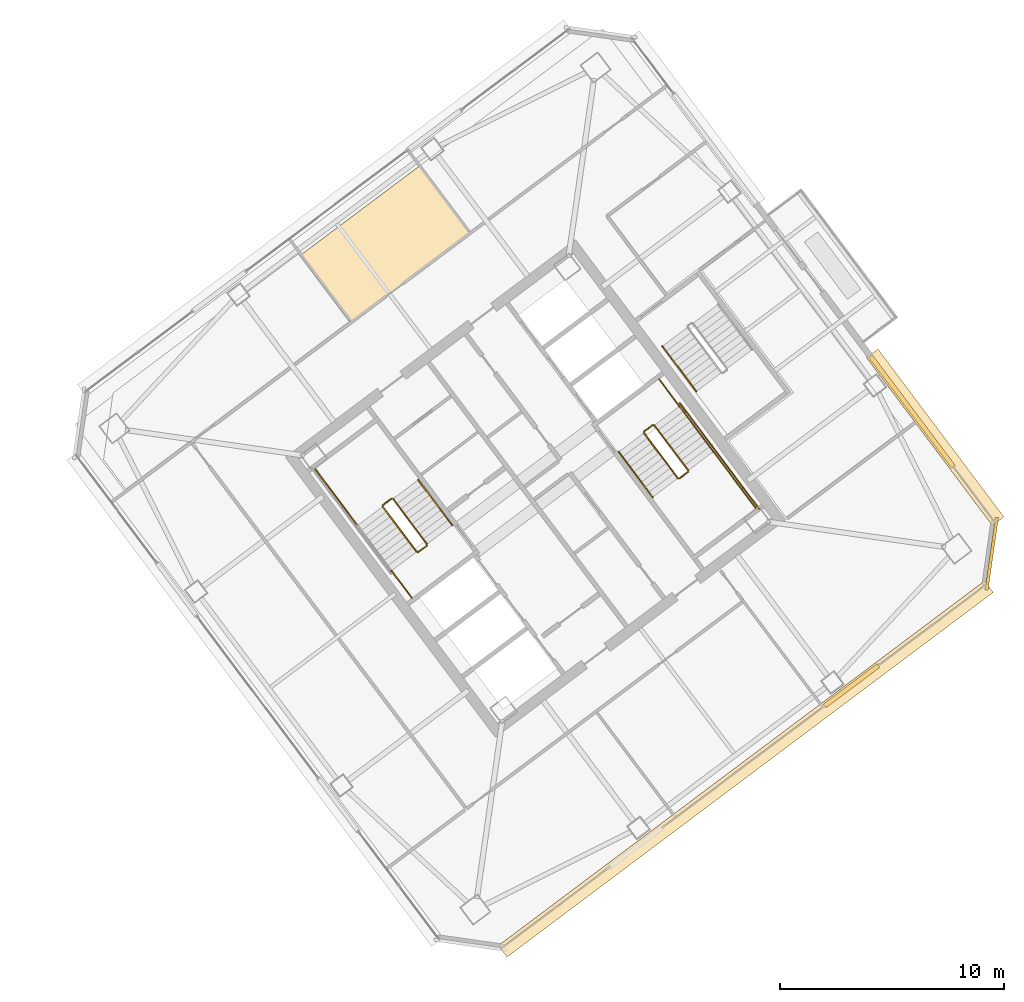
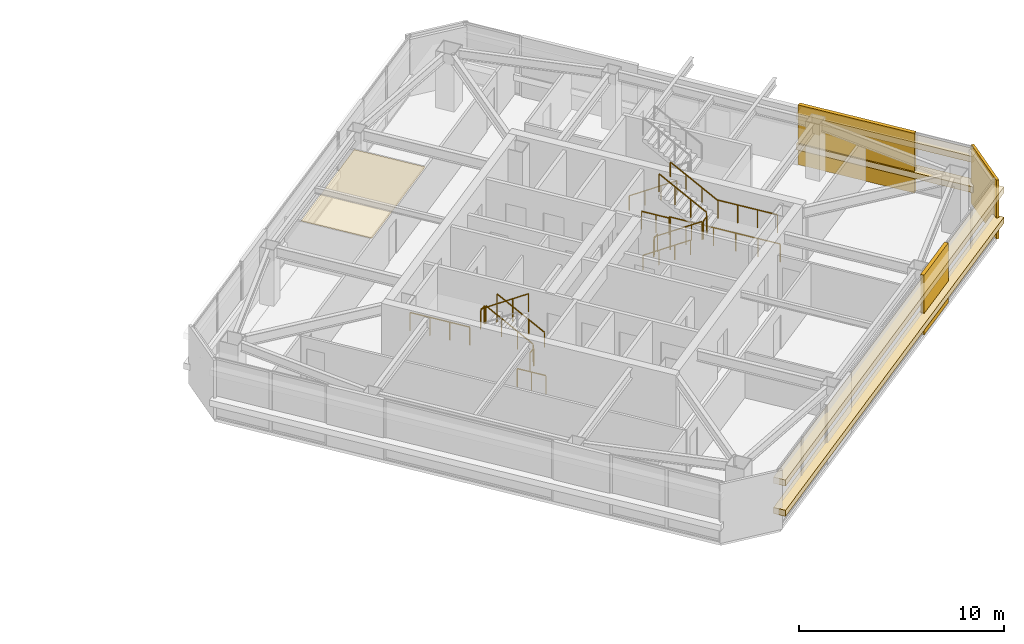
# One storey, part 37 of 39: 17 railings, 8 coverings.
"""IFC4 building model written with IfcOpenShell, lengths in metres."""

from ifc_helpers import new_model, si_unit, direction, frame, origin, origin_2d, place, context, subcontext, project, spatial, polyline, rectangle, outline, extrude, material, layer, layer_set, type_object, element, save


model = new_model("IFC4")

# Units and contexts
model_context = context("Model", 3, precision=1e-05, world=origin(), true_north=direction((0.0, 1.0)))
body_context = subcontext(model_context, "Body", "Model", "MODEL_VIEW")
ifc_project = project(units=[si_unit("LENGTHUNIT", "METRE"), si_unit("AREAUNIT", "SQUARE_METRE"), si_unit("VOLUMEUNIT", "CUBIC_METRE"), si_unit("PLANEANGLEUNIT", "RADIAN"), si_unit("MASSUNIT", "GRAM", prefix="KILO")], contexts=[model_context])

# Site, building, storey
site_placement = place(None, origin())
site = spatial("IfcSite", under=ifc_project, at=site_placement, CompositionType="ELEMENT")
building_placement = place(site_placement, origin())
building = spatial("IfcBuilding", under=site, at=building_placement, Name="Tashvorn Skyway Center", CompositionType="ELEMENT")
storey_placement = place(building_placement, frame((0.0, 0.0, 214.85009765625)))
storey = spatial("IfcBuildingStorey", under=building, at=storey_placement, Name="L58", CompositionType="ELEMENT", Elevation=214.85009765625)

# Coverings
ifc_material_1 = material(Name="Precast concrete C40/50", Category="concrete")
ifc_layer_1 = layer(ifc_material_1, 0.199951171875)
ifc_layer_set_1 = layer_set([ifc_layer_1], Name="Precast concrete C40/50")
covering_type_1 = type_object("IfcCoveringType", Name="COV-BRACE-CLAD", PredefinedType="CLADDING", material=ifc_layer_set_1)
covering_1_placement = place(storey_placement, frame((128.080810546875, 23.210693359375, 0.0), z_axis=(0.0, 0.0, 1.0), x_axis=(-0.799999996291, -0.600000004945, 0.0)))
element("IfcCovering", 1, at=covering_1_placement, inside=storey, type_object=covering_type_1, Name="Tower 2 L58 South Unitised Curtain Wall Mega-Brace Cladding Band 1", PredefinedType="CLADDING", context=body_context, shape_type="SweptSolid", body=[
    extrude(rectangle(XDim=2.99560546875, YDim=0.199951171875, at=origin_2d()), origin(), (0.0, 0.0, 1.0), 3.550048828125),
])
covering_2_placement = place(storey_placement, frame((130.780029296875, 35.4267578125, 0.0), z_axis=(0.0, 0.0, 1.0), x_axis=(0.600000004945, -0.799999996291, 0.0)))
element("IfcCovering", 2, at=covering_2_placement, inside=storey, type_object=covering_type_1, Name="Tower 2 L58 East Curtain Wall R Mega-Brace Cladding Band 1", PredefinedType="CLADDING", context=body_context, shape_type="SweptSolid", body=[
    extrude(rectangle(XDim=6.1533203125, YDim=0.199951171875, at=origin_2d()), origin(), (0.0, 0.0, 1.0), 3.550048828125),
])
ifc_material_2 = material(Name="Mineral-fibre acoustic ceiling tile on suspended grid")
ifc_layer_2 = layer(ifc_material_2, 0.02001953125)
ifc_layer_set_2 = layer_set([ifc_layer_2], Name="Mineral-fibre acoustic ceiling tile on suspended grid")
covering_type_2 = type_object("IfcCoveringType", Name="COV-CEIL-20", PredefinedType="CEILING", material=ifc_layer_set_2)
covering_3_placement = place(storey_placement, frame((0.0, 0.0, 2.702880859375)))
element("IfcCovering", 3, at=covering_3_placement, inside=storey, type_object=covering_type_2, Name="Tower 2 L58 Conference Room Acoustic Ceiling", PredefinedType="CEILING", context=body_context, shape_type="SweptSolid", body=[
    extrude(outline(polyline([(105.81005859375, 39.419921875), (111.090087890625, 43.3798828125), (108.840087890625, 46.3798828125), (103.56005859375, 42.419921875), (105.81005859375, 39.419921875)])), origin(), (0.0, 0.0, 1.0), 0.02001953125),
])
ifc_material_3 = material(Name="Perforated ceramic-coated bronze aluminium solar screen", Category="aluminium")
ifc_layer_3 = layer(ifc_material_3, 0.85009765625)
ifc_layer_set_3 = layer_set([ifc_layer_3], Name="Perforated ceramic-coated bronze aluminium solar screen")
covering_type_3 = type_object("IfcCoveringType", Name="COV-SOLAR-BAND", PredefinedType="CLADDING", material=ifc_layer_set_3)
for number, where, z_axis, x_axis, name in (
    (4, (123.3720703125, 19.50390625, 0.919921875), (0.0, 0.0, 1.0), (-0.799999996291, -0.600000004945, 0.0), "L58 Perforated Ceramic-Metal Solar Screen Louvre Band South 1"),
    (5, (123.3720703125, 19.50390625, 2.7197265625), (0.0, 0.0, 1.0), (-0.799999996291, -0.600000004945, 0.0), "L58 Perforated Ceramic-Metal Solar Screen Louvre Band South 2"),
):
    element("IfcCovering", number, at=place(storey_placement, frame(where, z_axis=z_axis, x_axis=x_axis)), inside=storey, type_object=covering_type_3, Name=name, PredefinedType="CLADDING", context=body_context, shape_type="SweptSolid", body=[
        extrude(rectangle(XDim=27.080078125, YDim=0.639892578125, at=origin_2d()), origin(), (0.0, 0.0, 1.0), 0.360107421875),
    ])
for number, where, z_axis, x_axis, name in (
    (6, (131.81494140625, 34.280029296875, 0.919921875), (0.0, 0.0, 1.0), (0.600000004945, -0.799999996291, 0.0), "L58 Perforated Ceramic-Metal Solar Screen Louvre Band East 1"),
    (7, (131.81494140625, 34.280029296875, 2.7197265625), (0.0, 0.0, 1.0), (0.600000004945, -0.799999996291, 0.0), "L58 Perforated Ceramic-Metal Solar Screen Louvre Band East 2"),
):
    element("IfcCovering", number, at=place(storey_placement, frame(where, z_axis=z_axis, x_axis=x_axis)), inside=storey, type_object=covering_type_3, Name=name, PredefinedType="CLADDING", context=body_context, shape_type="SweptSolid", body=[
        extrude(rectangle(XDim=9.35009765625, YDim=0.639892578125, at=origin_2d()), origin(), (0.0, 0.0, 1.0), 0.360107421875),
    ])
ifc_layer_4 = layer(ifc_material_1, 0.35009765625)
ifc_layer_set_4 = layer_set([ifc_layer_4], Name="Precast concrete C40/50")
covering_type_4 = type_object("IfcCoveringType", Name="COV-STONE-TRIM", PredefinedType="CLADDING", material=ifc_layer_set_4)
covering_4_placement = place(storey_placement, frame((134.327880859375, 29.095947265625, 0.02001953125), z_axis=(0.0, 0.0, 1.0), x_axis=(0.141421350118, 0.989949494535, 0.0)))
element("IfcCovering", 8, at=covering_4_placement, inside=storey, type_object=covering_type_4, Name="Tower 2 L58 SE Mojave Limestone Corner Quoin", PredefinedType="CLADDING", context=body_context, shape_type="SweptSolid", body=[
    extrude(rectangle(XDim=3.271240234375, YDim=0.139892578125, at=origin_2d()), origin(), (0.0, 0.0, 1.0), 3.510009765625),
])

# Railings
ifc_material_4 = material(Name="Brushed stainless steel 316", Category="steel")
railing_type_1 = type_object("IfcRailingType", Name="RAIL-HAND-920", PredefinedType="HANDRAIL", material=ifc_material_4)
railing_1_placement = place(storey_placement, frame((110.2880859375, 30.365966796875, 0.177490234375)))
element("IfcRailing", 9, at=railing_1_placement, inside=storey, type_object=railing_type_1, Name="L58 ST-T2-1 stair handrail 1", PredefinedType="HANDRAIL", context=body_context, shape_type="SweptSolid", body=[
    extrude(rectangle(XDim=0.048095703125, YDim=0.048095703125, at=origin_2d()), frame((0.0, 0.0, 0.8759765625), z_axis=(-0.506801609611, 0.675680931896, 0.535357270211), x_axis=(-0.799976749893, -0.600030998891, 0.0)), (0.0, 0.0, 1.0), 2.98388671875),
    extrude(rectangle(XDim=0.0419921875, YDim=0.0419921875, at=origin_2d()), origin(), (0.0, 0.0, 1.0), 0.851806640625),
    extrude(rectangle(XDim=0.0419921875, YDim=0.0419921875, at=origin_2d()), frame((-0.504150390625, 0.672119140625, 0.532470703125)), (0.0, 0.0, 1.0), 0.851806640625),
    extrude(rectangle(XDim=0.0419921875, YDim=0.0419921875, at=origin_2d()), frame((-1.008056640625, 1.343994140625, 1.06494140625)), (0.0, 0.0, 1.0), 0.851806640625),
    extrude(rectangle(XDim=0.0419921875, YDim=0.0419921875, at=origin_2d()), frame((-1.51220703125, 2.01611328125, 1.597412109375)), (0.0, 0.0, 1.0), 0.851806640625),
])
railing_2_placement = place(storey_placement, frame((117.7119140625, 33.634033203125, 0.177490234375)))
element("IfcRailing", 10, at=railing_2_placement, inside=storey, type_object=railing_type_1, Name="L58 ST-T2-2 stair handrail 1", PredefinedType="HANDRAIL", context=body_context, shape_type="SweptSolid", body=[
    extrude(rectangle(XDim=0.048095703125, YDim=0.048095703125, at=origin_2d()), frame((0.0, 0.0, 0.8759765625), z_axis=(0.506801609611, -0.675680931896, 0.535357270211), x_axis=(0.799976749893, 0.600030998891, 0.0)), (0.0, 0.0, 1.0), 2.98388671875),
    extrude(rectangle(XDim=0.0419921875, YDim=0.0419921875, at=origin_2d()), origin(), (0.0, 0.0, 1.0), 0.851806640625),
    extrude(rectangle(XDim=0.0419921875, YDim=0.0419921875, at=origin_2d()), frame((0.504150390625, -0.672119140625, 0.532470703125)), (0.0, 0.0, 1.0), 0.851806640625),
    extrude(rectangle(XDim=0.0419921875, YDim=0.0419921875, at=origin_2d()), frame((1.008056640625, -1.343994140625, 1.06494140625)), (0.0, 0.0, 1.0), 0.851806640625),
    extrude(rectangle(XDim=0.0419921875, YDim=0.0419921875, at=origin_2d()), frame((1.51220703125, -2.01611328125, 1.597412109375)), (0.0, 0.0, 1.0), 0.851806640625),
])
railing_3_placement = place(storey_placement, frame((121.927978515625, 33.64599609375, 1.952392578125)))
element("IfcRailing", 11, at=railing_3_placement, inside=storey, type_object=railing_type_1, Name="L58 ST-T2-2 stair handrail 2", PredefinedType="HANDRAIL", context=body_context, shape_type="SweptSolid", body=[
    extrude(rectangle(XDim=0.048095703125, YDim=0.048095703125, at=origin_2d()), frame((0.0, 0.0, 0.8759765625), z_axis=(-0.506740800098, 0.675708949977, 0.535379469569), x_axis=(-0.800023250257, -0.599968998406, 0.0)), (0.0, 0.0, 1.0), 2.983642578125),
    extrude(rectangle(XDim=0.0419921875, YDim=0.0419921875, at=origin_2d()), origin(), (0.0, 0.0, 1.0), 0.851806640625),
    extrude(rectangle(XDim=0.0419921875, YDim=0.0419921875, at=origin_2d()), frame((-0.50390625, 0.672119140625, 0.532470703125)), (0.0, 0.0, 1.0), 0.851806640625),
    extrude(rectangle(XDim=0.0419921875, YDim=0.0419921875, at=origin_2d()), frame((-1.008056640625, 1.343994140625, 1.06494140625)), (0.0, 0.0, 1.0), 0.851806640625),
    extrude(rectangle(XDim=0.0419921875, YDim=0.0419921875, at=origin_2d()), frame((-1.511962890625, 2.01611328125, 1.597412109375)), (0.0, 0.0, 1.0), 0.851806640625),
])
railing_4_placement = place(storey_placement, frame((119.656005859375, 38.342041015625, 0.177490234375)))
element("IfcRailing", 12, at=railing_4_placement, inside=storey, type_object=railing_type_1, Name="L58 ST-T2-3 stair handrail 1", PredefinedType="HANDRAIL", context=body_context, shape_type="SweptSolid", body=[
    extrude(rectangle(XDim=0.048095703125, YDim=0.048095703125, at=origin_2d()), frame((0.0, 0.0, 0.8759765625), z_axis=(0.506740800098, -0.675708949977, 0.535379469569), x_axis=(0.800023250257, 0.599968998406, 0.0)), (0.0, 0.0, 1.0), 2.983642578125),
    extrude(rectangle(XDim=0.0419921875, YDim=0.0419921875, at=origin_2d()), origin(), (0.0, 0.0, 1.0), 0.851806640625),
    extrude(rectangle(XDim=0.0419921875, YDim=0.0419921875, at=origin_2d()), frame((0.50390625, -0.672119140625, 0.532470703125)), (0.0, 0.0, 1.0), 0.851806640625),
    extrude(rectangle(XDim=0.0419921875, YDim=0.0419921875, at=origin_2d()), frame((1.008056640625, -1.343994140625, 1.06494140625)), (0.0, 0.0, 1.0), 0.851806640625),
    extrude(rectangle(XDim=0.0419921875, YDim=0.0419921875, at=origin_2d()), frame((1.511962890625, -2.01611328125, 1.597412109375)), (0.0, 0.0, 1.0), 0.851806640625),
])
ifc_material_5 = material(Name="Painted galvanized steel S355", Category="steel")
railing_type_2 = type_object("IfcRailingType", Name="RAIL-STGUARD-1100", PredefinedType="GUARDRAIL", material=ifc_material_5)
railing_5_placement = place(storey_placement, frame((109.16796875, 29.52587890625, 0.177490234375)))
element("IfcRailing", 13, at=railing_5_placement, inside=storey, type_object=railing_type_2, Name="L58 ST-T2-1 stair guard 1", PredefinedType="GUARDRAIL", context=body_context, shape_type="SweptSolid", body=[
    extrude(rectangle(XDim=0.048095703125, YDim=0.048095703125, at=origin_2d()), frame((0.0, 0.0, 1.076171875), z_axis=(-0.506740800098, 0.675708949977, 0.535379469569), x_axis=(-0.800023250257, -0.599968998406, 0.0)), (0.0, 0.0, 1.0), 2.983642578125),
    extrude(rectangle(XDim=0.0419921875, YDim=0.0419921875, at=origin_2d()), origin(), (0.0, 0.0, 1.0), 1.052001953125),
    extrude(rectangle(XDim=0.0419921875, YDim=0.0419921875, at=origin_2d()), frame((-0.50390625, 0.672119140625, 0.532470703125)), (0.0, 0.0, 1.0), 1.052001953125),
    extrude(rectangle(XDim=0.0419921875, YDim=0.0419921875, at=origin_2d()), frame((-1.008056640625, 1.343994140625, 1.06494140625)), (0.0, 0.0, 1.0), 1.052001953125),
    extrude(rectangle(XDim=0.0419921875, YDim=0.0419921875, at=origin_2d()), frame((-1.511962890625, 2.01611328125, 1.597412109375)), (0.0, 0.0, 1.0), 1.052001953125),
])
railing_6_placement = place(storey_placement, frame((107.5859375, 31.552001953125, 1.77490234375)))
element("IfcRailing", 14, at=railing_6_placement, inside=storey, type_object=railing_type_2, Name="L58 ST-T2-1 stair guard 2", PredefinedType="GUARDRAIL", context=body_context, shape_type="SweptSolid", body=[
    extrude(rectangle(XDim=0.048095703125, YDim=0.048095703125, at=origin_2d()), frame((0.0, 0.0, 1.076171875), z_axis=(-0.799938970639, -0.600081363861, 0.0), x_axis=(0.600081363861, -0.799938970639, 0.0)), (0.0, 0.0, 1.0), 0.47998046875),
    extrude(rectangle(XDim=0.0419921875, YDim=0.0419921875, at=origin_2d()), origin(), (0.0, 0.0, 1.0), 1.052001953125),
    extrude(rectangle(XDim=0.0419921875, YDim=0.0419921875, at=origin_2d()), frame((-0.384033203125, -0.2880859375, 0.0)), (0.0, 0.0, 1.0), 1.052001953125),
])
railing_7_placement = place(storey_placement, frame((106.072021484375, 30.35400390625, 1.77490234375)))
element("IfcRailing", 15, at=railing_7_placement, inside=storey, type_object=railing_type_2, Name="L58 ST-T2-1 stair guard 3", PredefinedType="GUARDRAIL", context=body_context, shape_type="SweptSolid", body=[
    extrude(rectangle(XDim=0.048095703125, YDim=0.048095703125, at=origin_2d()), frame((0.0, 0.0, 1.076171875), z_axis=(-0.599987638607, 0.800009270896, 0.0), x_axis=(-0.800009270896, -0.599987638607, 0.0)), (0.0, 0.0, 1.0), 3.16015625),
    extrude(rectangle(XDim=0.0419921875, YDim=0.0419921875, at=origin_2d()), origin(), (0.0, 0.0, 1.0), 1.052001953125),
    extrude(rectangle(XDim=0.0419921875, YDim=0.0419921875, at=origin_2d()), frame((-0.632080078125, 0.8427734375, 0.0)), (0.0, 0.0, 1.0), 1.052001953125),
    extrude(rectangle(XDim=0.0419921875, YDim=0.0419921875, at=origin_2d()), frame((-1.263916015625, 1.685302734375, 0.0)), (0.0, 0.0, 1.0), 1.052001953125),
    extrude(rectangle(XDim=0.0419921875, YDim=0.0419921875, at=origin_2d()), frame((-1.89599609375, 2.528076171875, 0.0)), (0.0, 0.0, 1.0), 1.052001953125),
])
railing_8_placement = place(storey_placement, frame((107.19189453125, 31.194091796875, 1.952392578125)))
element("IfcRailing", 16, at=railing_8_placement, inside=storey, type_object=railing_type_2, Name="L58 ST-T2-1 stair guard 4", PredefinedType="GUARDRAIL", context=body_context, shape_type="SweptSolid", body=[
    extrude(rectangle(XDim=0.048095703125, YDim=0.048095703125, at=origin_2d()), frame((0.0, 0.0, 1.076171875), z_axis=(0.506801609611, -0.675680931896, 0.535357270211), x_axis=(0.799976749893, 0.600030998891, 0.0)), (0.0, 0.0, 1.0), 2.98388671875),
    extrude(rectangle(XDim=0.0419921875, YDim=0.0419921875, at=origin_2d()), origin(), (0.0, 0.0, 1.0), 1.052001953125),
    extrude(rectangle(XDim=0.0419921875, YDim=0.0419921875, at=origin_2d()), frame((0.504150390625, -0.672119140625, 0.532470703125)), (0.0, 0.0, 1.0), 1.052001953125),
    extrude(rectangle(XDim=0.0419921875, YDim=0.0419921875, at=origin_2d()), frame((1.008056640625, -1.343994140625, 1.06494140625)), (0.0, 0.0, 1.0), 1.052001953125),
    extrude(rectangle(XDim=0.0419921875, YDim=0.0419921875, at=origin_2d()), frame((1.51220703125, -2.01611328125, 1.597412109375)), (0.0, 0.0, 1.0), 1.052001953125),
])
railing_9_placement = place(storey_placement, frame((109.157958984375, 29.4560546875, 0.0)))
element("IfcRailing", 17, at=railing_9_placement, inside=storey, type_object=railing_type_2, Name="L58 ST-T2-1 stair guard 5", PredefinedType="GUARDRAIL", context=body_context, shape_type="SweptSolid", body=[
    extrude(rectangle(XDim=0.048095703125, YDim=0.048095703125, at=origin_2d()), frame((0.0, 0.0, 1.076171875), z_axis=(-0.799938970639, -0.600081363861, 0.0), x_axis=(0.600081363861, -0.799938970639, 0.0)), (0.0, 0.0, 1.0), 0.47998046875),
    extrude(rectangle(XDim=0.0419921875, YDim=0.0419921875, at=origin_2d()), origin(), (0.0, 0.0, 1.0), 1.052001953125),
    extrude(rectangle(XDim=0.0419921875, YDim=0.0419921875, at=origin_2d()), frame((-0.384033203125, -0.2880859375, 0.0)), (0.0, 0.0, 1.0), 1.052001953125),
])
railing_10_placement = place(storey_placement, frame((108.49609375, 27.1220703125, 0.0)))
element("IfcRailing", 18, at=railing_10_placement, inside=storey, type_object=railing_type_2, Name="L58 ST-T2-1 stair guard 6", PredefinedType="GUARDRAIL", context=body_context, shape_type="SweptSolid", body=[
    extrude(rectangle(XDim=0.048095703125, YDim=0.048095703125, at=origin_2d()), frame((0.0, 0.0, 1.076171875), z_axis=(-0.600102796382, 0.799922892393, 0.0), x_axis=(-0.799922892393, -0.600102796382, 0.0)), (0.0, 0.0, 1.0), 1.52001953125),
    extrude(rectangle(XDim=0.0419921875, YDim=0.0419921875, at=origin_2d()), origin(), (0.0, 0.0, 1.0), 1.052001953125),
    extrude(rectangle(XDim=0.0419921875, YDim=0.0419921875, at=origin_2d()), frame((-0.4560546875, 0.60791015625, 0.0)), (0.0, 0.0, 1.0), 1.052001953125),
    extrude(rectangle(XDim=0.0419921875, YDim=0.0419921875, at=origin_2d()), frame((-0.912109375, 1.2158203125, 0.0)), (0.0, 0.0, 1.0), 1.052001953125),
])
railing_11_placement = place(storey_placement, frame((118.83203125, 34.47412109375, 0.177490234375)))
element("IfcRailing", 19, at=railing_11_placement, inside=storey, type_object=railing_type_2, Name="L58 ST-T2-2 stair guard 1", PredefinedType="GUARDRAIL", context=body_context, shape_type="SweptSolid", body=[
    extrude(rectangle(XDim=0.048095703125, YDim=0.048095703125, at=origin_2d()), frame((0.0, 0.0, 1.076171875), z_axis=(0.506740800098, -0.675708949977, 0.535379469569), x_axis=(0.800023250257, 0.599968998406, 0.0)), (0.0, 0.0, 1.0), 2.983642578125),
    extrude(rectangle(XDim=0.0419921875, YDim=0.0419921875, at=origin_2d()), origin(), (0.0, 0.0, 1.0), 1.052001953125),
    extrude(rectangle(XDim=0.0419921875, YDim=0.0419921875, at=origin_2d()), frame((0.50390625, -0.672119140625, 0.532470703125)), (0.0, 0.0, 1.0), 1.052001953125),
    extrude(rectangle(XDim=0.0419921875, YDim=0.0419921875, at=origin_2d()), frame((1.008056640625, -1.343994140625, 1.06494140625)), (0.0, 0.0, 1.0), 1.052001953125),
    extrude(rectangle(XDim=0.0419921875, YDim=0.0419921875, at=origin_2d()), frame((1.511962890625, -2.01611328125, 1.597412109375)), (0.0, 0.0, 1.0), 1.052001953125),
])
railing_12_placement = place(storey_placement, frame((120.4140625, 32.447998046875, 1.77490234375)))
element("IfcRailing", 20, at=railing_12_placement, inside=storey, type_object=railing_type_2, Name="L58 ST-T2-2 stair guard 2", PredefinedType="GUARDRAIL", context=body_context, shape_type="SweptSolid", body=[
    extrude(rectangle(XDim=0.048095703125, YDim=0.048095703125, at=origin_2d()), frame((0.0, 0.0, 1.076171875), z_axis=(0.799938970639, 0.600081363861, 0.0), x_axis=(-0.600081363861, 0.799938970639, 0.0)), (0.0, 0.0, 1.0), 0.47998046875),
    extrude(rectangle(XDim=0.0419921875, YDim=0.0419921875, at=origin_2d()), origin(), (0.0, 0.0, 1.0), 1.052001953125),
    extrude(rectangle(XDim=0.0419921875, YDim=0.0419921875, at=origin_2d()), frame((0.384033203125, 0.2880859375, 0.0)), (0.0, 0.0, 1.0), 1.052001953125),
])
railing_13_placement = place(storey_placement, frame((121.927978515625, 33.64599609375, 1.77490234375)))
element("IfcRailing", 21, at=railing_13_placement, inside=storey, type_object=railing_type_2, Name="L58 ST-T2-2 stair guard 3", PredefinedType="GUARDRAIL", context=body_context, shape_type="SweptSolid", body=[
    extrude(rectangle(XDim=0.048095703125, YDim=0.048095703125, at=origin_2d()), frame((0.0, 0.0, 1.076171875), z_axis=(0.599987638607, -0.800009270896, 0.0), x_axis=(0.800009270896, 0.599987638607, 0.0)), (0.0, 0.0, 1.0), 3.16015625),
    extrude(rectangle(XDim=0.0419921875, YDim=0.0419921875, at=origin_2d()), origin(), (0.0, 0.0, 1.0), 1.052001953125),
    extrude(rectangle(XDim=0.0419921875, YDim=0.0419921875, at=origin_2d()), frame((0.632080078125, -0.8427734375, 0.0)), (0.0, 0.0, 1.0), 1.052001953125),
    extrude(rectangle(XDim=0.0419921875, YDim=0.0419921875, at=origin_2d()), frame((1.263916015625, -1.685302734375, 0.0)), (0.0, 0.0, 1.0), 1.052001953125),
    extrude(rectangle(XDim=0.0419921875, YDim=0.0419921875, at=origin_2d()), frame((1.89599609375, -2.528076171875, 0.0)), (0.0, 0.0, 1.0), 1.052001953125),
])
railing_14_placement = place(storey_placement, frame((120.80810546875, 32.805908203125, 1.952392578125)))
element("IfcRailing", 22, at=railing_14_placement, inside=storey, type_object=railing_type_2, Name="L58 ST-T2-2 stair guard 4", PredefinedType="GUARDRAIL", context=body_context, shape_type="SweptSolid", body=[
    extrude(rectangle(XDim=0.048095703125, YDim=0.048095703125, at=origin_2d()), frame((0.0, 0.0, 1.076171875), z_axis=(-0.506801609611, 0.675680931896, 0.535357270211), x_axis=(-0.799976749893, -0.600030998891, 0.0)), (0.0, 0.0, 1.0), 2.98388671875),
    extrude(rectangle(XDim=0.0419921875, YDim=0.0419921875, at=origin_2d()), origin(), (0.0, 0.0, 1.0), 1.052001953125),
    extrude(rectangle(XDim=0.0419921875, YDim=0.0419921875, at=origin_2d()), frame((-0.504150390625, 0.672119140625, 0.532470703125)), (0.0, 0.0, 1.0), 1.052001953125),
    extrude(rectangle(XDim=0.0419921875, YDim=0.0419921875, at=origin_2d()), frame((-1.008056640625, 1.343994140625, 1.06494140625)), (0.0, 0.0, 1.0), 1.052001953125),
    extrude(rectangle(XDim=0.0419921875, YDim=0.0419921875, at=origin_2d()), frame((-1.51220703125, 2.01611328125, 1.597412109375)), (0.0, 0.0, 1.0), 1.052001953125),
])
railing_15_placement = place(storey_placement, frame((118.842041015625, 34.5439453125, 0.0)))
element("IfcRailing", 23, at=railing_15_placement, inside=storey, type_object=railing_type_2, Name="L58 ST-T2-2 stair guard 5", PredefinedType="GUARDRAIL", context=body_context, shape_type="SweptSolid", body=[
    extrude(rectangle(XDim=0.048095703125, YDim=0.048095703125, at=origin_2d()), frame((0.0, 0.0, 1.076171875), z_axis=(0.799938970639, 0.600081363861, 0.0), x_axis=(-0.600081363861, 0.799938970639, 0.0)), (0.0, 0.0, 1.0), 0.47998046875),
    extrude(rectangle(XDim=0.0419921875, YDim=0.0419921875, at=origin_2d()), origin(), (0.0, 0.0, 1.0), 1.052001953125),
    extrude(rectangle(XDim=0.0419921875, YDim=0.0419921875, at=origin_2d()), frame((0.384033203125, 0.2880859375, 0.0)), (0.0, 0.0, 1.0), 1.052001953125),
])
railing_16_placement = place(storey_placement, frame((119.50390625, 36.8779296875, 0.0)))
element("IfcRailing", 24, at=railing_16_placement, inside=storey, type_object=railing_type_2, Name="L58 ST-T2-2 stair guard 6", PredefinedType="GUARDRAIL", context=body_context, shape_type="SweptSolid", body=[
    extrude(rectangle(XDim=0.048095703125, YDim=0.048095703125, at=origin_2d()), frame((0.0, 0.0, 1.076171875), z_axis=(0.600102796382, -0.799922892393, 0.0), x_axis=(0.799922892393, 0.600102796382, 0.0)), (0.0, 0.0, 1.0), 1.52001953125),
    extrude(rectangle(XDim=0.0419921875, YDim=0.0419921875, at=origin_2d()), origin(), (0.0, 0.0, 1.0), 1.052001953125),
    extrude(rectangle(XDim=0.0419921875, YDim=0.0419921875, at=origin_2d()), frame((0.4560546875, -0.60791015625, 0.0)), (0.0, 0.0, 1.0), 1.052001953125),
    extrude(rectangle(XDim=0.0419921875, YDim=0.0419921875, at=origin_2d()), frame((0.912109375, -1.2158203125, 0.0)), (0.0, 0.0, 1.0), 1.052001953125),
])
railing_17_placement = place(storey_placement, frame((120.43603515625, 35.802001953125, 0.0)))
element("IfcRailing", 25, at=railing_17_placement, inside=storey, type_object=railing_type_2, Name="L58 ST-T2-2 stair guard 7", PredefinedType="GUARDRAIL", context=body_context, shape_type="SweptSolid", body=[
    extrude(rectangle(XDim=0.048095703125, YDim=0.048095703125, at=origin_2d()), frame((0.0, 0.0, 1.076171875), z_axis=(0.6, -0.8, 0.0), x_axis=(0.8, 0.6, 0.0)), (0.0, 0.0, 1.0), 5.880126953125),
    extrude(rectangle(XDim=0.0419921875, YDim=0.0419921875, at=origin_2d()), origin(), (0.0, 0.0, 1.0), 1.052001953125),
    extrude(rectangle(XDim=0.0419921875, YDim=0.0419921875, at=origin_2d()), frame((0.70556640625, -0.94091796875, 0.0)), (0.0, 0.0, 1.0), 1.052001953125),
    extrude(rectangle(XDim=0.0419921875, YDim=0.0419921875, at=origin_2d()), frame((1.4111328125, -1.881591796875, 0.0)), (0.0, 0.0, 1.0), 1.052001953125),
    extrude(rectangle(XDim=0.0419921875, YDim=0.0419921875, at=origin_2d()), frame((2.116943359375, -2.822509765625, 0.0)), (0.0, 0.0, 1.0), 1.052001953125),
    extrude(rectangle(XDim=0.0419921875, YDim=0.0419921875, at=origin_2d()), frame((2.822509765625, -3.76318359375, 0.0)), (0.0, 0.0, 1.0), 1.052001953125),
    extrude(rectangle(XDim=0.0419921875, YDim=0.0419921875, at=origin_2d()), frame((3.528076171875, -4.7041015625, 0.0)), (0.0, 0.0, 1.0), 1.052001953125),
])

save(model, "model.ifc")
